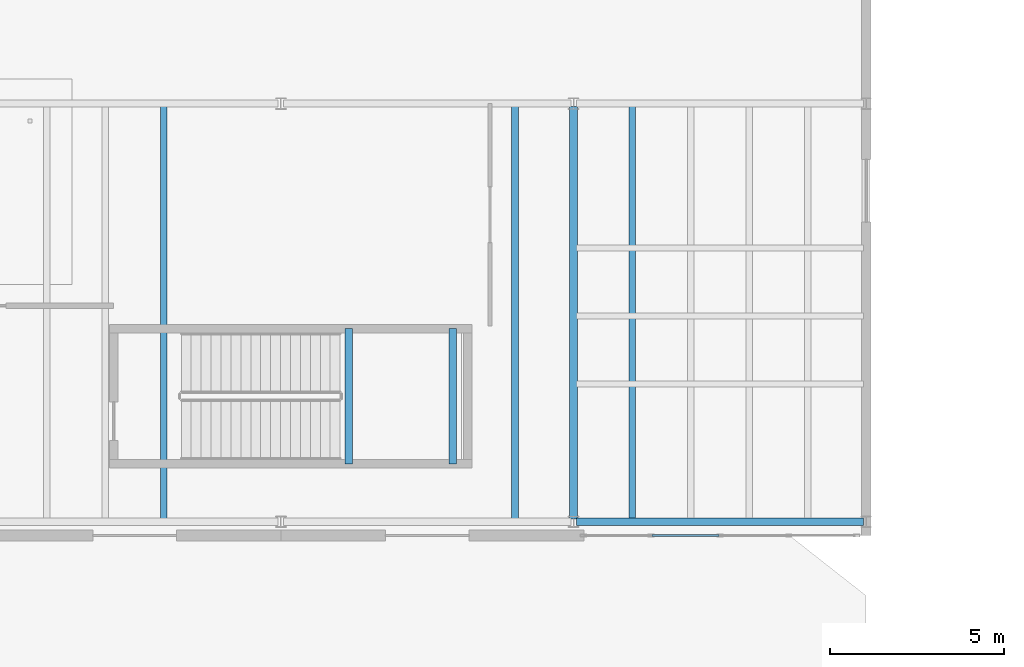
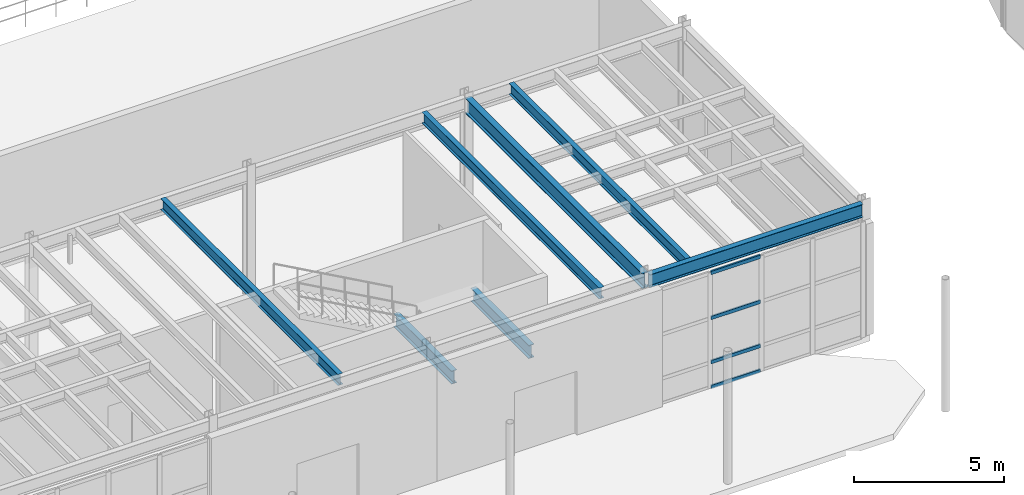
# One storey, part 39 of 87: 7 beams, 4 members, 1 element without a shape of its own.
"""IFC4 building model written with IfcOpenShell, lengths in metres."""

from ifc_helpers import new_model, si_unit, direction, frame, origin, origin_2d, place, context, subcontext, project, spatial, hollow_rectangle, i_section, extrude, material, layer, layer_set, material_profile, profile_set, type_object, element, aggregate, save


model = new_model("IFC4")

# Units and contexts
model_context = context("Model", 3, precision=1e-05, world=origin(), true_north=direction((0.0, 1.0)))
body_context = subcontext(model_context, "Body", "Model", "MODEL_VIEW")
ifc_project = project(units=[si_unit("LENGTHUNIT", "METRE"), si_unit("AREAUNIT", "SQUARE_METRE"), si_unit("VOLUMEUNIT", "CUBIC_METRE"), si_unit("PLANEANGLEUNIT", "RADIAN"), si_unit("MASSUNIT", "GRAM", prefix="KILO")], contexts=[model_context])

# Site, building, storey
site_placement = place(None, origin())
site = spatial("IfcSite", under=ifc_project, at=site_placement, CompositionType="ELEMENT")
building_placement = place(site_placement, origin())
building = spatial("IfcBuilding", under=site, at=building_placement, Name="Selat Folded Stagehouse", CompositionType="ELEMENT")
storey_placement = place(building_placement, origin())
storey = spatial("IfcBuildingStorey", under=building, at=storey_placement, Name="L00", CompositionType="ELEMENT", Elevation=0.0)

# Beams
ifc_material_1 = material(Name="Steel S355", Category="steel")
ifc_material_profile_1 = material_profile(ifc_material_1, i_section(OverallWidth=0.209228515625, OverallDepth=0.533203125, WebThickness=0.010009765625, FlangeThickness=0.015625, FilletRadius=0.0126953125, at=origin_2d()), Name="UKB 533x210x92")
ifc_profile_set_1 = profile_set([ifc_material_profile_1], Name="Steel S355")
beam_type_1 = type_object("IfcBeamType", Name="BM-GIRD-533x210x92", PredefinedType="BEAM", material=ifc_profile_set_1)
beam_1_placement = place(storey_placement, frame((109.280029296875, 5.800048828125, 4.91357421875), z_axis=(1.0, 0.0, 0.0), x_axis=(0.0, 1.0, 0.0)))
element("IfcBeam", 1, at=beam_1_placement, inside=storey, type_object=beam_type_1, Name="L00 primary x-girder 0508", PredefinedType="BEAM", context=body_context, shape_type="SweptSolid", body=[
    extrude(i_section(OverallWidth=0.209228515625, OverallDepth=0.533203125, WebThickness=0.010009765625, FlangeThickness=0.015625, FilletRadius=0.0126953125, at=origin_2d()), origin(), (0.0, 0.0, 1.0), 8.239990234375),
])
for number, where, z_axis, x_axis, name in (
    (2, (102.75, 7.4599609375, 2.2333984375), (0.0, 1.0, 0.0), (-1.0, 0.0, 0.0), "L00 ST-08 landing support beam 1"),
    (3, (105.72998046875, 7.4599609375, 2.2333984375), (0.0, 1.0, 0.0), (-1.0, 0.0, 0.0), "L00 ST-08 landing support beam 2"),
):
    element("IfcBeam", number, at=place(storey_placement, frame(where, z_axis=z_axis, x_axis=x_axis)), inside=storey, type_object=beam_type_1, Name=name, PredefinedType="BEAM", context=body_context, shape_type="SweptSolid", body=[
        extrude(i_section(OverallWidth=0.209228515625, OverallDepth=0.533203125, WebThickness=0.010009765625, FlangeThickness=0.015625, FilletRadius=0.0126953125, at=origin_2d()), origin(), (0.0, 0.0, 1.0), 3.880126953125),
    ])
ifc_material_profile_2 = material_profile(ifc_material_1, i_section(OverallWidth=0.230224609375, OverallDepth=0.6171875, WebThickness=0.01318359375, FlangeThickness=0.022216796875, FilletRadius=0.0126953125, at=origin_2d()), Name="UKB 610x229x140")
ifc_profile_set_2 = profile_set([ifc_material_profile_2], Name="Steel S355")
beam_type_2 = type_object("IfcBeamType", Name="BM-GIRD-610x229x140", PredefinedType="BEAM", material=ifc_profile_set_2)
beam_2_placement = place(storey_placement, frame((109.199951171875, 5.8798828125, 4.871337890625), z_axis=(0.0, 1.0, 0.0), x_axis=(-1.0, 0.0, 0.0)))
element("IfcBeam", 4, at=beam_2_placement, inside=storey, type_object=beam_type_2, Name="L00 primary y-girder 0583", PredefinedType="BEAM", context=body_context, shape_type="SweptSolid", body=[
    extrude(i_section(OverallWidth=0.230224609375, OverallDepth=0.6171875, WebThickness=0.01318359375, FlangeThickness=0.022216796875, FilletRadius=0.0126953125, at=origin_2d()), origin(), (0.0, 0.0, 1.0), 11.840087890625),
])

# Curtain wall, members
ifc_material_2 = material(Name="Aluminium 6063-T6", Category="aluminium")
ifc_layer = layer(ifc_material_2, 0.2099609375)
ifc_layer_set = layer_set([ifc_layer], Name="Aluminium 6063-T6")
curtain_wall_type = type_object("IfcCurtainWallType", Name="CW-FYR-SOUTH", PredefinedType="NOTDEFINED", material=ifc_layer_set)
curtain_wall_placement = place(storey_placement, origin())
curtain_wall = element("IfcCurtainWall", 5, at=curtain_wall_placement, inside=storey, type_object=curtain_wall_type, Name="L00 curtain wall CW-FYR-L00-06", PredefinedType="NOTDEFINED")
ifc_material_profile_3 = material_profile(ifc_material_2, hollow_rectangle(XDim=0.06494140625, YDim=0.139892578125, WallThickness=0.00390625, at=origin_2d()), Name="ALU 140x65x4.0")
ifc_profile_set_3 = profile_set([ifc_material_profile_3], Name="Aluminium 6063-T6")
member_type = type_object("IfcMemberType", Name="CWM-TRN-140x65", PredefinedType="USERDEFINED", material=ifc_profile_set_3)
member_1_placement = place(storey_placement, frame((113.367431640625, 5.39990234375, 0.032470703125), z_axis=(-1.0, 0.0, 0.0), x_axis=(0.0, -1.0, 0.0)))
member_1 = element("IfcMember", 6, at=member_1_placement, type_object=member_type, Name="CW-04 transom 3.1", ObjectType="TRANSOM", PredefinedType="USERDEFINED", context=body_context, shape_type="SweptSolid", body=[
    extrude(hollow_rectangle(XDim=0.06494140625, YDim=0.139892578125, WallThickness=0.00390625, at=origin_2d()), origin(), (0.0, 0.0, 1.0), 1.909912109375),
])
member_2_placement = place(storey_placement, frame((113.367431640625, 5.39990234375, 1.050048828125), z_axis=(-1.0, 0.0, 0.0), x_axis=(0.0, -1.0, 0.0)))
member_2 = element("IfcMember", 7, at=member_2_placement, type_object=member_type, Name="CW-04 transom 3.2", ObjectType="TRANSOM", PredefinedType="USERDEFINED", context=body_context, shape_type="SweptSolid", body=[
    extrude(hollow_rectangle(XDim=0.06494140625, YDim=0.139892578125, WallThickness=0.00390625, at=origin_2d()), origin(), (0.0, 0.0, 1.0), 1.909912109375),
])
member_3_placement = place(storey_placement, frame((113.367431640625, 5.39990234375, 2.85009765625), z_axis=(-1.0, 0.0, 0.0), x_axis=(0.0, -1.0, 0.0)))
member_3 = element("IfcMember", 8, at=member_3_placement, type_object=member_type, Name="CW-04 transom 3.3", ObjectType="TRANSOM", PredefinedType="USERDEFINED", context=body_context, shape_type="SweptSolid", body=[
    extrude(hollow_rectangle(XDim=0.06494140625, YDim=0.139892578125, WallThickness=0.00390625, at=origin_2d()), origin(), (0.0, 0.0, 1.0), 1.909912109375),
])
member_4_placement = place(storey_placement, frame((113.367431640625, 5.39990234375, 4.6875), z_axis=(-1.0, 0.0, 0.0), x_axis=(0.0, -1.0, 0.0)))
member_4 = element("IfcMember", 9, at=member_4_placement, type_object=member_type, Name="CW-04 transom 3.4", ObjectType="TRANSOM", PredefinedType="USERDEFINED", context=body_context, shape_type="SweptSolid", body=[
    extrude(hollow_rectangle(XDim=0.06494140625, YDim=0.139892578125, WallThickness=0.00390625, at=origin_2d()), origin(), (0.0, 0.0, 1.0), 1.909912109375),
])
aggregate(curtain_wall, [member_1, member_2, member_3, member_4])

# Beams
ifc_material_profile_4 = material_profile(ifc_material_1, i_section(OverallWidth=0.18994140625, OverallDepth=0.453369140625, WebThickness=0.008544921875, FlangeThickness=0.0126953125, FilletRadius=0.01025390625, at=origin_2d()), Name="UKB 457x191x67")
ifc_profile_set_4 = profile_set([ifc_material_profile_4], Name="Steel S355")
beam_type_3 = type_object("IfcBeamType", Name="JST-457x191x67", PredefinedType="JOIST", material=ifc_profile_set_4)
for number, where, z_axis, x_axis, name in (
    (10, (97.43994140625, 5.873291015625, 4.953369140625), (0.0, 1.0, 0.0), (-1.0, 0.0, 0.0), "L00 secondary floor joist 0677"),
    (11, (107.52001953125, 5.873291015625, 4.953369140625), (0.0, 1.0, 0.0), (-1.0, 0.0, 0.0), "L00 secondary floor joist 0678"),
    (12, (110.8798828125, 5.873291015625, 4.953369140625), (0.0, 1.0, 0.0), (-1.0, 0.0, 0.0), "L00 secondary floor joist 0679"),
):
    element("IfcBeam", number, at=place(storey_placement, frame(where, z_axis=z_axis, x_axis=x_axis)), inside=storey, type_object=beam_type_3, Name=name, PredefinedType="JOIST", context=body_context, shape_type="SweptSolid", body=[
        extrude(i_section(OverallWidth=0.18994140625, OverallDepth=0.453369140625, WebThickness=0.008544921875, FlangeThickness=0.0126953125, FilletRadius=0.01025390625, at=origin_2d()), origin(), (0.0, 0.0, 1.0), 11.853515625),
    ])

save(model, "model.ifc")
